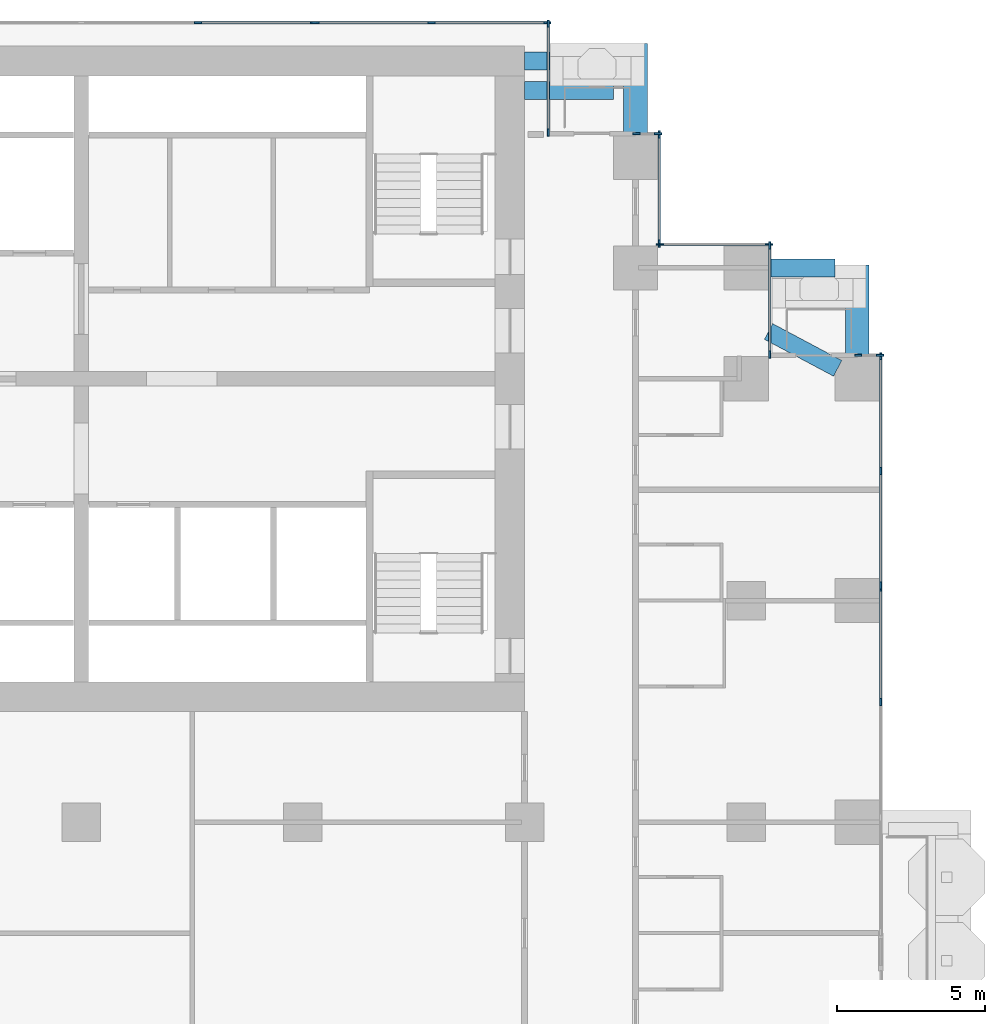
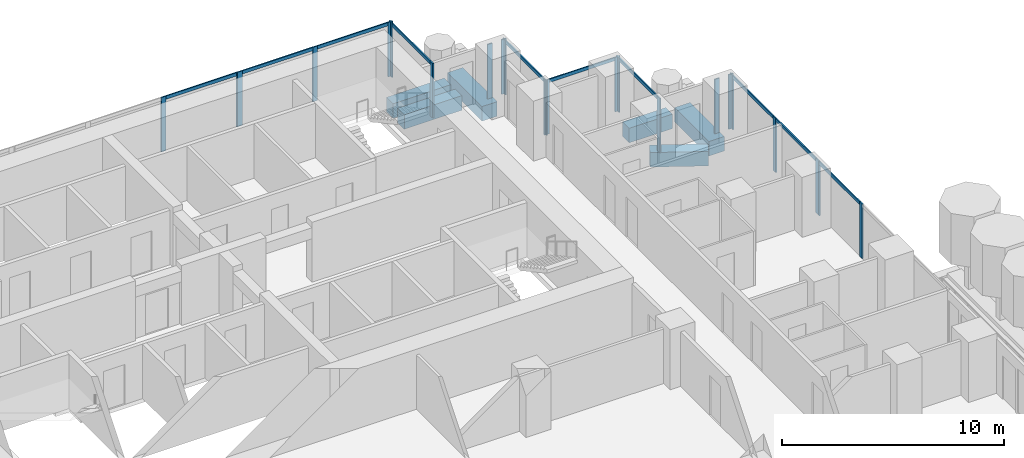
# One storey, part 6 of 19: 32 members, 6 beams, 10 elements without a shape of their own.
"""IFC4 building model written with IfcOpenShell, lengths in metres."""

import ifcopenshell
import ifcopenshell.guid

model = None  # the IFC model being written
_history = None  # IfcOwnerHistory: only IFC2X3 demands one
_inside = {}  # id of a spatial element -> (the spatial element, [elements in it])
_under = {}  # id of a project, library or spatial element -> (it, [spatial elements below it])
_declared = {}  # id of a project -> (the project, [libraries it declares])
_typed = {}  # id of a type object -> (the type object, [elements of that type])
_made_of = {}  # id of a material, layer set ... -> (it, [elements and type objects made of it])


def new_model(schema):
    """Start an empty IFC model of exactly this schema.

    Asked for "IFC4X3", IfcOpenShell would pick the latest addendum, in which some entities
    have other attributes; the version numbers below select the first issue.
    IFC2X3 requires an IfcOwnerHistory on every rooted entity: one is made here for all.
    """
    global model, _history
    if schema == "IFC4X3":
        model = ifcopenshell.file(schema_version=(4, 3, 0, 0))
    else:
        model = ifcopenshell.file(schema=schema)
    _inside.clear()
    _under.clear()
    _declared.clear()
    _typed.clear()
    _made_of.clear()
    _history = None
    if model.schema == "IFC2X3":
        org = make("IfcOrganization", Name="unknown")
        user = make(
            "IfcPersonAndOrganization",
            ThePerson=make("IfcPerson", FamilyName="unknown"),
            TheOrganization=org,
        )
        app = make(
            "IfcApplication",
            ApplicationDeveloper=org,
            Version="unknown",
            ApplicationFullName="unknown",
            ApplicationIdentifier="unknown",
        )
        _history = make(
            "IfcOwnerHistory",
            OwningUser=user,
            OwningApplication=app,
            ChangeAction="ADDED",
            CreationDate=0,
        )
    return model


def make(cls, **values):
    """One entity of the class cls with the attributes given. An attribute that is None is left unset."""
    return model.create_entity(
        cls, **{name: value for name, value in values.items() if value is not None}
    )


def rooted(cls, **values):
    """An entity with a GlobalId (a new one), such as an element, a storey or a relation."""
    return make(cls, GlobalId=ifcopenshell.guid.new(), OwnerHistory=_history, **values)


def si_unit(unit_type, name, prefix=None):
    """IfcSIUnit, for example si_unit("LENGTHUNIT", "METRE", prefix="MILLI")."""
    return make("IfcSIUnit", UnitType=unit_type, Prefix=prefix, Name=name)


def assignment(units):
    """IfcUnitAssignment: the units of a project."""
    return None if units is None else make("IfcUnitAssignment", Units=units)


def point(xyz):
    """IfcCartesianPoint."""
    return None if xyz is None else make("IfcCartesianPoint", Coordinates=xyz)


def direction(xyz):
    """IfcDirection."""
    return None if xyz is None else make("IfcDirection", DirectionRatios=xyz)


def frame(location, z_axis=None, x_axis=None):
    """IfcAxis2Placement3D, a coordinate frame: its origin and axes. An axis left out is left unset."""
    return make(
        "IfcAxis2Placement3D",
        Location=point(location),
        Axis=direction(z_axis),
        RefDirection=direction(x_axis),
    )


def frame_2d(location, x_axis=None):
    """IfcAxis2Placement2D, a coordinate frame in the plane: its origin and x axis."""
    return make(
        "IfcAxis2Placement2D", Location=point(location), RefDirection=direction(x_axis)
    )


def origin():
    """The frame at (0, 0, 0) with its axes left unset."""
    return frame((0.0, 0.0, 0.0))


def origin_2d():
    """The frame at (0, 0) in the plane with its x axis left unset."""
    return frame_2d((0.0, 0.0))


def place(relative_to, where):
    """IfcLocalPlacement: puts the frame where relative to a parent placement (None: the world)."""
    return make(
        "IfcLocalPlacement", PlacementRelTo=relative_to, RelativePlacement=where
    )


def context(
    kind, dimensions, precision=None, world=None, true_north=None, identifier=None
):
    """IfcGeometricRepresentationContext, for example the 3D "Model" context."""
    return make(
        "IfcGeometricRepresentationContext",
        ContextIdentifier=identifier,
        ContextType=kind,
        CoordinateSpaceDimension=dimensions,
        Precision=precision,
        WorldCoordinateSystem=world,
        TrueNorth=true_north,
    )


def subcontext(parent, identifier, kind, view, scale=None):
    """IfcGeometricRepresentationSubContext, for example "Body" below "Model"."""
    return make(
        "IfcGeometricRepresentationSubContext",
        ContextIdentifier=identifier,
        ContextType=kind,
        ParentContext=parent,
        TargetScale=scale,
        TargetView=view,
    )


def project(units=None, contexts=None):
    """IfcProject with its units and contexts."""
    return rooted(
        "IfcProject",
        Name="project",
        RepresentationContexts=contexts,
        UnitsInContext=assignment(units),
    )


def spatial(cls, under=None, at=None, **own):
    """A site, building, storey or space (cls), placed at a placement, below another one or the project."""
    s = rooted(cls, ObjectPlacement=at, **own)
    if under is not None:
        _under.setdefault(under.id(), (under, []))[1].append(s)
    return s


def profile(cls, at=None, kind="AREA", **sizes):
    """A parametric profile (cls). Its sizes go by their IFC names, for example OverallWidth=200.0."""
    return make(cls, ProfileType=kind, Position=at, **sizes)


def rectangle(**sizes):
    """IfcRectangleProfileDef."""
    return profile("IfcRectangleProfileDef", **sizes)


def extrude(swept, where, along, depth):
    """IfcExtrudedAreaSolid: the profile swept, set in the frame where, extruded along a direction by depth."""
    return make(
        "IfcExtrudedAreaSolid",
        SweptArea=swept,
        Position=where,
        ExtrudedDirection=direction(along),
        Depth=depth,
    )


def shape(context_of_items, identifier, shape_type, items):
    """IfcShapeRepresentation: the items that make up one representation, for example the "Body"."""
    return make(
        "IfcShapeRepresentation",
        ContextOfItems=context_of_items,
        RepresentationIdentifier=identifier,
        RepresentationType=shape_type,
        Items=items,
    )


def material(Name=None, Category=None):
    """IfcMaterial."""
    return make("IfcMaterial", Name=Name, Category=Category)


def material_profile(
    of_material, cross_section, Name=None, Category=None, Priority=None
):
    """IfcMaterialProfile: a cross section and its material."""
    return make(
        "IfcMaterialProfile",
        Name=Name,
        Material=of_material,
        Profile=cross_section,
        Priority=Priority,
        Category=Category,
    )


def profile_set(profiles, Name=None, composite=None):
    """IfcMaterialProfileSet."""
    return make(
        "IfcMaterialProfileSet",
        Name=Name,
        MaterialProfiles=profiles,
        CompositeProfile=composite,
    )


def made_of(thing, what):
    """Note that an element or type object is made of a material, layer set ...; save() writes the relation."""
    if what is not None:
        _made_of.setdefault(what.id(), (what, []))[1].append(thing)
    return thing


def type_object(cls, material=None, **own):
    """A type object (cls), such as IfcWallType, which elements share."""
    return made_of(rooted(cls, **own), material)


def element(
    cls,
    number,
    at=None,
    inside=None,
    cuts=None,
    type_object=None,
    material=None,
    context=None,
    identifier="Body",
    shape_type=None,
    held_by="IfcProductDefinitionShape",
    body=None,
    shapes=None,
    **own,
):
    """One element of the class cls, such as IfcWall. Its Tag is "e" and its number.

    at: its placement. inside: the storey or other place that contains it. cuts: it is an
    opening in that element (IfcRelVoidsElement). A single representation is given by context,
    identifier, shape_type and body (its items); several are given by shapes. held_by: the class
    of the entity that holds the representations. save() writes the other relations.
    """
    e = rooted(cls, Tag="e%d" % number, ObjectPlacement=at, **own)
    if body is not None:
        shapes = [shape(context, identifier, shape_type, body)]
    if shapes is not None:
        e.Representation = make(held_by, Representations=shapes)
    if inside is not None:
        _inside.setdefault(inside.id(), (inside, []))[1].append(e)
    if cuts is not None:
        rooted(
            "IfcRelVoidsElement", RelatingBuildingElement=cuts, RelatedOpeningElement=e
        )
    if type_object is not None:
        _typed.setdefault(type_object.id(), (type_object, []))[1].append(e)
    return made_of(e, material)


def aggregate(whole, parts):
    """IfcRelAggregates: a whole, such as a stair, and the parts it consists of."""
    return rooted("IfcRelAggregates", RelatingObject=whole, RelatedObjects=parts)


def save(model, path):
    """Write the relations noted so far, then the file.

    IfcRelAggregates (storeys below a building ...), IfcRelContainedInSpatialStructure (elements
    in a storey), IfcRelDefinesByType, IfcRelAssociatesMaterial and IfcRelDeclares: one each for
    every whole, place, type object, material and project.
    """
    for whole, parts in _under.values():
        aggregate(whole, parts)
    for where, things in _inside.values():
        rooted(
            "IfcRelContainedInSpatialStructure",
            RelatedElements=things,
            RelatingStructure=where,
        )
    for kind, things in _typed.values():
        rooted("IfcRelDefinesByType", RelatedObjects=things, RelatingType=kind)
    for what, things in _made_of.values():
        rooted("IfcRelAssociatesMaterial", RelatedObjects=things, RelatingMaterial=what)
    for by, libraries in _declared.values():
        rooted("IfcRelDeclares", RelatingContext=by, RelatedDefinitions=libraries)
    model.write(path)


model = new_model("IFC4")

# Units and contexts
model_context = context("Model", 3, precision=1e-05, world=origin(), true_north=direction((0.0, 1.0)))
body_context = subcontext(model_context, "Body", "Model", "MODEL_VIEW")
ifc_project = project(units=[si_unit("LENGTHUNIT", "METRE"), si_unit("AREAUNIT", "SQUARE_METRE"), si_unit("VOLUMEUNIT", "CUBIC_METRE"), si_unit("PLANEANGLEUNIT", "RADIAN"), si_unit("MASSUNIT", "GRAM", prefix="KILO")], contexts=[model_context])

# Site, building, storey
site_placement = place(None, origin())
site = spatial("IfcSite", under=ifc_project, at=site_placement, CompositionType="ELEMENT")
building_placement = place(site_placement, origin())
building = spatial("IfcBuilding", under=site, at=building_placement, Name="Pilkhan Gate Tower", CompositionType="ELEMENT")
storey_placement = place(building_placement, frame((0.0, 0.0, 62.60009765625)))
storey = spatial("IfcBuildingStorey", under=building, at=storey_placement, Name="L13", CompositionType="ELEMENT", Elevation=62.60009765625)

# Beams
ifc_material_1 = material(Name="Concrete C50/60", Category="concrete")
ifc_material_profile_1 = material_profile(ifc_material_1, rectangle(XDim=0.60009765625, YDim=0.800048828125, at=origin_2d()), Name="RC 600x800")
ifc_profile_set_1 = profile_set([ifc_material_profile_1], Name="Concrete C50/60")
beam_type_1 = type_object("IfcBeamType", Name="Cantilever beam CB1 RC 600x800 C50/60", PredefinedType="BEAM", material=ifc_profile_set_1)
for number, where, z_axis, x_axis, name in (
    (1, (90.0, 93.25, -0.7001953125), (1.0, 0.0, 0.0), (0.0, 1.0, 0.0), "Balcony beam NE.2 L13"),
    (2, (90.0, 92.25, -0.7001953125), (1.0, 0.0, 0.0), (0.0, 1.0, 0.0), "Balcony beam NE.3 L13"),
):
    element("IfcBeam", number, at=place(storey_placement, frame(where, z_axis=z_axis, x_axis=x_axis)), inside=storey, type_object=beam_type_1, Name=name, PredefinedType="BEAM", context=body_context, shape_type="SweptSolid", body=[
        extrude(rectangle(XDim=0.60009765625, YDim=0.800048828125, at=origin_2d()), origin(), (0.0, 0.0, 1.0), 3.0),
    ])
beam_1_placement = place(storey_placement, frame((98.25, 86.25, -0.7001953125), z_axis=(1.0, 0.0, 0.0), x_axis=(0.0, 1.0, 0.0)))
element("IfcBeam", 3, at=beam_1_placement, inside=storey, type_object=beam_type_1, Name="Balcony beam NE2.2 L13", PredefinedType="BEAM", context=body_context, shape_type="SweptSolid", body=[
    extrude(rectangle(XDim=0.60009765625, YDim=0.800048828125, at=origin_2d()), origin(), (0.0, 0.0, 1.0), 2.25),
])
beam_2_placement = place(storey_placement, frame((100.588134765625, 82.85302734375, -0.7001953125), z_axis=(-0.882342739565, 0.470607362817, 0.0), x_axis=(-0.470607362817, -0.882342739565, 0.0)))
element("IfcBeam", 4, at=beam_2_placement, inside=storey, type_object=beam_type_1, Name="Balcony beam NE2.3 L13", PredefinedType="BEAM", context=body_context, shape_type="SweptSolid", body=[
    extrude(rectangle(XDim=0.60009765625, YDim=0.800048828125, at=origin_2d()), origin(), (0.0, 0.0, 1.0), 2.64990234375),
])
ifc_material_profile_2 = material_profile(ifc_material_1, rectangle(XDim=0.800048828125, YDim=0.800048828125, at=origin_2d()), Name="RC 800x800")
ifc_profile_set_2 = profile_set([ifc_material_profile_2], Name="Concrete C50/60")
beam_type_2 = type_object("IfcBeamType", Name="Cantilever beam CB2 RC 800x800 C50/60", PredefinedType="BEAM", material=ifc_profile_set_2)
for number, where, z_axis, x_axis, name in (
    (5, (93.75, 90.75, -0.7001953125), (0.0, 1.0, 0.0), (-1.0, 0.0, 0.0), "Balcony beam NE.1 L13"),
    (6, (101.25, 83.25, -0.7001953125), (0.0, 1.0, 0.0), (-1.0, 0.0, 0.0), "Balcony beam NE2.1 L13"),
):
    element("IfcBeam", number, at=place(storey_placement, frame(where, z_axis=z_axis, x_axis=x_axis)), inside=storey, type_object=beam_type_2, Name=name, PredefinedType="BEAM", context=body_context, shape_type="SweptSolid", body=[
        extrude(rectangle(XDim=0.800048828125, YDim=0.800048828125, at=origin_2d()), origin(), (0.0, 0.0, 1.0), 3.10009765625),
    ])

# Curtain wall, members
ifc_material_2 = material(Name="Pale anodised aluminium, clear low-iron double glazing", Category="aluminium")
curtain_wall_type = type_object("IfcCurtainWallType", Name="Hotel unitised curtain wall CW-H", PredefinedType="USERDEFINED", material=ifc_material_2)
curtain_wall_1_placement = place(storey_placement, origin())
curtain_wall_1 = element("IfcCurtainWall", 7, at=curtain_wall_1_placement, inside=storey, type_object=curtain_wall_type, Name="Hotel unitised curtain wall CW-H L13 E", ObjectType="UNITISED CURTAIN WALL", PredefinedType="USERDEFINED")
ifc_material_3 = material(Name="Pale anodised aluminium", Category="aluminium")
ifc_material_profile_3 = material_profile(ifc_material_3, rectangle(XDim=0.06494140625, YDim=0.25, at=origin_2d()), Name="Mullion 250x65")
ifc_profile_set_3 = profile_set([ifc_material_profile_3], Name="Pale anodised aluminium")
member_type_1 = type_object("IfcMemberType", Name="Mullion CW-H 250x65", PredefinedType="MULLION", material=ifc_profile_set_3)
member_1_placement = place(storey_placement, frame((102.044921875, 71.568115234375, 0.0), z_axis=(0.0, 0.0, 1.0), x_axis=(-1.0, 0.0, 0.0)))
member_1 = element("IfcMember", 8, at=member_1_placement, type_object=member_type_1, Name="CW-H mullion 3", PredefinedType="MULLION", context=body_context, shape_type="SweptSolid", body=[
    extrude(rectangle(XDim=0.06494140625, YDim=0.25, at=origin_2d()), origin(), (0.0, 0.0, 1.0), 3.0),
])
member_2_placement = place(storey_placement, frame((102.044921875, 75.444580078125, 0.0), z_axis=(0.0, 0.0, 1.0), x_axis=(-1.0, 0.0, 0.0)))
member_2 = element("IfcMember", 9, at=member_2_placement, type_object=member_type_1, Name="CW-H mullion 4", PredefinedType="MULLION", context=body_context, shape_type="SweptSolid", body=[
    extrude(rectangle(XDim=0.06494140625, YDim=0.25, at=origin_2d()), origin(), (0.0, 0.0, 1.0), 3.0),
])

curtain_wall_2_placement = place(storey_placement, origin())
curtain_wall_2 = element("IfcCurtainWall", 10, at=curtain_wall_2_placement, inside=storey, type_object=curtain_wall_type, Name="Hotel unitised curtain wall CW-H L13 E", ObjectType="UNITISED CURTAIN WALL", PredefinedType="USERDEFINED")
member_3_placement = place(storey_placement, frame((102.044921875, 75.509521484375, 0.0), z_axis=(0.0, 0.0, 1.0), x_axis=(-1.0, 0.0, 0.0)))
member_3 = element("IfcMember", 11, at=member_3_placement, type_object=member_type_1, Name="CW-H mullion 1", PredefinedType="MULLION", context=body_context, shape_type="SweptSolid", body=[
    extrude(rectangle(XDim=0.06494140625, YDim=0.25, at=origin_2d()), origin(), (0.0, 0.0, 1.0), 3.0),
])
member_4_placement = place(storey_placement, frame((102.044921875, 79.385986328125, 0.0), z_axis=(0.0, 0.0, 1.0), x_axis=(-1.0, 0.0, 0.0)))
member_4 = element("IfcMember", 12, at=member_4_placement, type_object=member_type_1, Name="CW-H mullion 2", PredefinedType="MULLION", context=body_context, shape_type="SweptSolid", body=[
    extrude(rectangle(XDim=0.06494140625, YDim=0.25, at=origin_2d()), origin(), (0.0, 0.0, 1.0), 3.0),
])
member_5_placement = place(storey_placement, frame((102.044921875, 83.262451171875, 0.0), z_axis=(0.0, 0.0, 1.0), x_axis=(-1.0, 0.0, 0.0)))
member_5 = element("IfcMember", 13, at=member_5_placement, type_object=member_type_1, Name="CW-H mullion 3", PredefinedType="MULLION", context=body_context, shape_type="SweptSolid", body=[
    extrude(rectangle(XDim=0.06494140625, YDim=0.25, at=origin_2d()), origin(), (0.0, 0.0, 1.0), 3.0),
])

curtain_wall_3_placement = place(storey_placement, origin())
curtain_wall_3 = element("IfcCurtainWall", 14, at=curtain_wall_3_placement, inside=storey, type_object=curtain_wall_type, Name="Hotel unitised curtain wall CW-H L13 N", ObjectType="UNITISED CURTAIN WALL", PredefinedType="USERDEFINED")
member_6_placement = place(storey_placement, frame((101.282470703125, 83.294921875, 0.0), z_axis=(0.0, 0.0, 1.0), x_axis=(0.0, 1.0, 0.0)))
member_6 = element("IfcMember", 15, at=member_6_placement, type_object=member_type_1, Name="CW-H mullion 1", PredefinedType="MULLION", context=body_context, shape_type="SweptSolid", body=[
    extrude(rectangle(XDim=0.06494140625, YDim=0.25, at=origin_2d()), origin(), (0.0, 0.0, 1.0), 3.0),
])
member_7_placement = place(storey_placement, frame((102.012451171875, 83.294921875, 0.0), z_axis=(0.0, 0.0, 1.0), x_axis=(0.0, 1.0, 0.0)))
member_7 = element("IfcMember", 16, at=member_7_placement, type_object=member_type_1, Name="CW-H mullion 2", PredefinedType="MULLION", context=body_context, shape_type="SweptSolid", body=[
    extrude(rectangle(XDim=0.06494140625, YDim=0.25, at=origin_2d()), origin(), (0.0, 0.0, 1.0), 3.0),
])
aggregate(curtain_wall_3, [member_6, member_7])

curtain_wall_4_placement = place(storey_placement, origin())
curtain_wall_4 = element("IfcCurtainWall", 17, at=curtain_wall_4_placement, inside=storey, type_object=curtain_wall_type, Name="Hotel unitised curtain wall CW-H L13 E", ObjectType="UNITISED CURTAIN WALL", PredefinedType="USERDEFINED")
member_8_placement = place(storey_placement, frame((98.294921875, 83.327392578125, 0.0), z_axis=(0.0, 0.0, 1.0), x_axis=(-1.0, 0.0, 0.0)))
member_8 = element("IfcMember", 18, at=member_8_placement, type_object=member_type_1, Name="CW-H mullion 1", PredefinedType="MULLION", context=body_context, shape_type="SweptSolid", body=[
    extrude(rectangle(XDim=0.06494140625, YDim=0.25, at=origin_2d()), origin(), (0.0, 0.0, 1.0), 3.0),
])
member_9_placement = place(storey_placement, frame((98.294921875, 87.012451171875, 0.0), z_axis=(0.0, 0.0, 1.0), x_axis=(-1.0, 0.0, 0.0)))
member_9 = element("IfcMember", 19, at=member_9_placement, type_object=member_type_1, Name="CW-H mullion 2", PredefinedType="MULLION", context=body_context, shape_type="SweptSolid", body=[
    extrude(rectangle(XDim=0.06494140625, YDim=0.25, at=origin_2d()), origin(), (0.0, 0.0, 1.0), 3.0),
])

curtain_wall_5_placement = place(storey_placement, origin())
curtain_wall_5 = element("IfcCurtainWall", 20, at=curtain_wall_5_placement, inside=storey, type_object=curtain_wall_type, Name="Hotel unitised curtain wall CW-H L13 N", ObjectType="UNITISED CURTAIN WALL", PredefinedType="USERDEFINED")
member_10_placement = place(storey_placement, frame((94.577392578125, 87.044921875, 0.0), z_axis=(0.0, 0.0, 1.0), x_axis=(0.0, 1.0, 0.0)))
member_10 = element("IfcMember", 21, at=member_10_placement, type_object=member_type_1, Name="CW-H mullion 1", PredefinedType="MULLION", context=body_context, shape_type="SweptSolid", body=[
    extrude(rectangle(XDim=0.06494140625, YDim=0.25, at=origin_2d()), origin(), (0.0, 0.0, 1.0), 3.0),
])
member_11_placement = place(storey_placement, frame((98.262451171875, 87.044921875, 0.0), z_axis=(0.0, 0.0, 1.0), x_axis=(0.0, 1.0, 0.0)))
member_11 = element("IfcMember", 22, at=member_11_placement, type_object=member_type_1, Name="CW-H mullion 2", PredefinedType="MULLION", context=body_context, shape_type="SweptSolid", body=[
    extrude(rectangle(XDim=0.06494140625, YDim=0.25, at=origin_2d()), origin(), (0.0, 0.0, 1.0), 3.0),
])

curtain_wall_6_placement = place(storey_placement, origin())
curtain_wall_6 = element("IfcCurtainWall", 23, at=curtain_wall_6_placement, inside=storey, type_object=curtain_wall_type, Name="Hotel unitised curtain wall CW-H L13 E", ObjectType="UNITISED CURTAIN WALL", PredefinedType="USERDEFINED")
member_12_placement = place(storey_placement, frame((94.544921875, 87.077392578125, 0.0), z_axis=(0.0, 0.0, 1.0), x_axis=(-1.0, 0.0, 0.0)))
member_12 = element("IfcMember", 24, at=member_12_placement, type_object=member_type_1, Name="CW-H mullion 1", PredefinedType="MULLION", context=body_context, shape_type="SweptSolid", body=[
    extrude(rectangle(XDim=0.06494140625, YDim=0.25, at=origin_2d()), origin(), (0.0, 0.0, 1.0), 3.0),
])
member_13_placement = place(storey_placement, frame((94.544921875, 90.762451171875, 0.0), z_axis=(0.0, 0.0, 1.0), x_axis=(-1.0, 0.0, 0.0)))
member_13 = element("IfcMember", 25, at=member_13_placement, type_object=member_type_1, Name="CW-H mullion 2", PredefinedType="MULLION", context=body_context, shape_type="SweptSolid", body=[
    extrude(rectangle(XDim=0.06494140625, YDim=0.25, at=origin_2d()), origin(), (0.0, 0.0, 1.0), 3.0),
])

curtain_wall_7_placement = place(storey_placement, origin())
curtain_wall_7 = element("IfcCurtainWall", 26, at=curtain_wall_7_placement, inside=storey, type_object=curtain_wall_type, Name="Hotel unitised curtain wall CW-H L13 N", ObjectType="UNITISED CURTAIN WALL", PredefinedType="USERDEFINED")
member_14_placement = place(storey_placement, frame((93.782470703125, 90.794921875, 0.0), z_axis=(0.0, 0.0, 1.0), x_axis=(0.0, 1.0, 0.0)))
member_14 = element("IfcMember", 27, at=member_14_placement, type_object=member_type_1, Name="CW-H mullion 1", PredefinedType="MULLION", context=body_context, shape_type="SweptSolid", body=[
    extrude(rectangle(XDim=0.06494140625, YDim=0.25, at=origin_2d()), origin(), (0.0, 0.0, 1.0), 3.0),
])
member_15_placement = place(storey_placement, frame((94.512451171875, 90.794921875, 0.0), z_axis=(0.0, 0.0, 1.0), x_axis=(0.0, 1.0, 0.0)))
member_15 = element("IfcMember", 28, at=member_15_placement, type_object=member_type_1, Name="CW-H mullion 2", PredefinedType="MULLION", context=body_context, shape_type="SweptSolid", body=[
    extrude(rectangle(XDim=0.06494140625, YDim=0.25, at=origin_2d()), origin(), (0.0, 0.0, 1.0), 3.0),
])
aggregate(curtain_wall_7, [member_14, member_15])

curtain_wall_8_placement = place(storey_placement, origin())
curtain_wall_8 = element("IfcCurtainWall", 29, at=curtain_wall_8_placement, inside=storey, type_object=curtain_wall_type, Name="Hotel unitised curtain wall CW-H L13 E", ObjectType="UNITISED CURTAIN WALL", PredefinedType="USERDEFINED")
member_16_placement = place(storey_placement, frame((90.794921875, 90.827392578125, 0.0), z_axis=(0.0, 0.0, 1.0), x_axis=(-1.0, 0.0, 0.0)))
member_16 = element("IfcMember", 30, at=member_16_placement, type_object=member_type_1, Name="CW-H mullion 1", PredefinedType="MULLION", context=body_context, shape_type="SweptSolid", body=[
    extrude(rectangle(XDim=0.06494140625, YDim=0.25, at=origin_2d()), origin(), (0.0, 0.0, 1.0), 3.0),
])
member_17_placement = place(storey_placement, frame((90.794921875, 94.512451171875, 0.0), z_axis=(0.0, 0.0, 1.0), x_axis=(-1.0, 0.0, 0.0)))
member_17 = element("IfcMember", 31, at=member_17_placement, type_object=member_type_1, Name="CW-H mullion 2", PredefinedType="MULLION", context=body_context, shape_type="SweptSolid", body=[
    extrude(rectangle(XDim=0.06494140625, YDim=0.25, at=origin_2d()), origin(), (0.0, 0.0, 1.0), 3.0),
])

curtain_wall_9_placement = place(storey_placement, origin())
curtain_wall_9 = element("IfcCurtainWall", 32, at=curtain_wall_9_placement, inside=storey, type_object=curtain_wall_type, Name="Hotel unitised curtain wall CW-H L13 N", ObjectType="UNITISED CURTAIN WALL", PredefinedType="USERDEFINED")
member_18_placement = place(storey_placement, frame((78.94873046875, 94.544921875, 0.0), z_axis=(0.0, 0.0, 1.0), x_axis=(0.0, 1.0, 0.0)))
member_18 = element("IfcMember", 33, at=member_18_placement, type_object=member_type_1, Name="CW-H mullion 3", PredefinedType="MULLION", context=body_context, shape_type="SweptSolid", body=[
    extrude(rectangle(XDim=0.06494140625, YDim=0.25, at=origin_2d()), origin(), (0.0, 0.0, 1.0), 3.0),
])
member_19_placement = place(storey_placement, frame((82.864990234375, 94.544921875, 0.0), z_axis=(0.0, 0.0, 1.0), x_axis=(0.0, 1.0, 0.0)))
member_19 = element("IfcMember", 34, at=member_19_placement, type_object=member_type_1, Name="CW-H mullion 4", PredefinedType="MULLION", context=body_context, shape_type="SweptSolid", body=[
    extrude(rectangle(XDim=0.06494140625, YDim=0.25, at=origin_2d()), origin(), (0.0, 0.0, 1.0), 3.0),
])

curtain_wall_10_placement = place(storey_placement, origin())
curtain_wall_10 = element("IfcCurtainWall", 35, at=curtain_wall_10_placement, inside=storey, type_object=curtain_wall_type, Name="Hotel unitised curtain wall CW-H L13 N", ObjectType="UNITISED CURTAIN WALL", PredefinedType="USERDEFINED")
member_20_placement = place(storey_placement, frame((82.929931640625, 94.544921875, 0.0), z_axis=(0.0, 0.0, 1.0), x_axis=(0.0, 1.0, 0.0)))
member_20 = element("IfcMember", 36, at=member_20_placement, type_object=member_type_1, Name="CW-H mullion 1", PredefinedType="MULLION", context=body_context, shape_type="SweptSolid", body=[
    extrude(rectangle(XDim=0.06494140625, YDim=0.25, at=origin_2d()), origin(), (0.0, 0.0, 1.0), 3.0),
])
member_21_placement = place(storey_placement, frame((86.84619140625, 94.544921875, 0.0), z_axis=(0.0, 0.0, 1.0), x_axis=(0.0, 1.0, 0.0)))
member_21 = element("IfcMember", 37, at=member_21_placement, type_object=member_type_1, Name="CW-H mullion 2", PredefinedType="MULLION", context=body_context, shape_type="SweptSolid", body=[
    extrude(rectangle(XDim=0.06494140625, YDim=0.25, at=origin_2d()), origin(), (0.0, 0.0, 1.0), 3.0),
])
member_22_placement = place(storey_placement, frame((90.762451171875, 94.544921875, 0.0), z_axis=(0.0, 0.0, 1.0), x_axis=(0.0, 1.0, 0.0)))
member_22 = element("IfcMember", 38, at=member_22_placement, type_object=member_type_1, Name="CW-H mullion 3", PredefinedType="MULLION", context=body_context, shape_type="SweptSolid", body=[
    extrude(rectangle(XDim=0.06494140625, YDim=0.25, at=origin_2d()), origin(), (0.0, 0.0, 1.0), 3.0),
])

# Member
ifc_material_profile_4 = material_profile(ifc_material_3, rectangle(XDim=0.06494140625, YDim=0.179931640625, at=origin_2d()), Name="Transom 180x65")
ifc_profile_set_4 = profile_set([ifc_material_profile_4], Name="Pale anodised aluminium")
member_type_2 = type_object("IfcMemberType", Name="Transom CW-H 180x65", PredefinedType="USERDEFINED", material=ifc_profile_set_4)
member_23_placement = place(storey_placement, frame((102.044921875, 71.6005859375, 2.909912109375), z_axis=(0.0, 1.0, 0.0), x_axis=(-1.0, 0.0, 0.0)))
member_23 = element("IfcMember", 39, at=member_23_placement, type_object=member_type_2, Name="CW-H transom 3", ObjectType="TRANSOM", PredefinedType="USERDEFINED", context=body_context, shape_type="SweptSolid", body=[
    extrude(rectangle(XDim=0.06494140625, YDim=0.179931640625, at=origin_2d()), origin(), (0.0, 0.0, 1.0), 3.8115234375),
])

aggregate(curtain_wall_1, [member_1, member_2, member_23])

member_24_placement = place(storey_placement, frame((102.044921875, 75.5419921875, 2.909912109375), z_axis=(0.0, 1.0, 0.0), x_axis=(-1.0, 0.0, 0.0)))
member_24 = element("IfcMember", 40, at=member_24_placement, type_object=member_type_2, Name="CW-H transom 1", ObjectType="TRANSOM", PredefinedType="USERDEFINED", context=body_context, shape_type="SweptSolid", body=[
    extrude(rectangle(XDim=0.06494140625, YDim=0.179931640625, at=origin_2d()), origin(), (0.0, 0.0, 1.0), 3.8115234375),
])

member_25_placement = place(storey_placement, frame((102.044921875, 79.41845703125, 2.909912109375), z_axis=(0.0, 1.0, 0.0), x_axis=(-1.0, 0.0, 0.0)))
member_25 = element("IfcMember", 41, at=member_25_placement, type_object=member_type_2, Name="CW-H transom 2", ObjectType="TRANSOM", PredefinedType="USERDEFINED", context=body_context, shape_type="SweptSolid", body=[
    extrude(rectangle(XDim=0.06494140625, YDim=0.179931640625, at=origin_2d()), origin(), (0.0, 0.0, 1.0), 3.8115234375),
])

aggregate(curtain_wall_2, [member_3, member_4, member_5, member_24, member_25])

member_26_placement = place(storey_placement, frame((98.294921875, 83.360107421875, 2.909912109375), z_axis=(0.0, 1.0, 0.0), x_axis=(-1.0, 0.0, 0.0)))
member_26 = element("IfcMember", 42, at=member_26_placement, type_object=member_type_2, Name="CW-H transom 1", ObjectType="TRANSOM", PredefinedType="USERDEFINED", context=body_context, shape_type="SweptSolid", body=[
    extrude(rectangle(XDim=0.06494140625, YDim=0.179931640625, at=origin_2d()), origin(), (0.0, 0.0, 1.0), 3.619873046875),
])

aggregate(curtain_wall_4, [member_8, member_9, member_26])

member_27_placement = place(storey_placement, frame((94.610107421875, 87.044921875, 2.909912109375), z_axis=(1.0, 0.0, 0.0), x_axis=(0.0, 1.0, 0.0)))
member_27 = element("IfcMember", 43, at=member_27_placement, type_object=member_type_2, Name="CW-H transom 1", ObjectType="TRANSOM", PredefinedType="USERDEFINED", context=body_context, shape_type="SweptSolid", body=[
    extrude(rectangle(XDim=0.06494140625, YDim=0.179931640625, at=origin_2d()), origin(), (0.0, 0.0, 1.0), 3.619873046875),
])

aggregate(curtain_wall_5, [member_10, member_11, member_27])

member_28_placement = place(storey_placement, frame((94.544921875, 87.110107421875, 2.909912109375), z_axis=(0.0, 1.0, 0.0), x_axis=(-1.0, 0.0, 0.0)))
member_28 = element("IfcMember", 44, at=member_28_placement, type_object=member_type_2, Name="CW-H transom 1", ObjectType="TRANSOM", PredefinedType="USERDEFINED", context=body_context, shape_type="SweptSolid", body=[
    extrude(rectangle(XDim=0.06494140625, YDim=0.179931640625, at=origin_2d()), origin(), (0.0, 0.0, 1.0), 3.619873046875),
])

aggregate(curtain_wall_6, [member_12, member_13, member_28])

member_29_placement = place(storey_placement, frame((90.794921875, 90.860107421875, 2.909912109375), z_axis=(0.0, 1.0, 0.0), x_axis=(-1.0, 0.0, 0.0)))
member_29 = element("IfcMember", 45, at=member_29_placement, type_object=member_type_2, Name="CW-H transom 1", ObjectType="TRANSOM", PredefinedType="USERDEFINED", context=body_context, shape_type="SweptSolid", body=[
    extrude(rectangle(XDim=0.06494140625, YDim=0.179931640625, at=origin_2d()), origin(), (0.0, 0.0, 1.0), 3.619873046875),
])

aggregate(curtain_wall_8, [member_16, member_17, member_29])

member_30_placement = place(storey_placement, frame((78.981201171875, 94.544921875, 2.909912109375), z_axis=(1.0, 0.0, 0.0), x_axis=(0.0, 1.0, 0.0)))
member_30 = element("IfcMember", 46, at=member_30_placement, type_object=member_type_2, Name="CW-H transom 3", ObjectType="TRANSOM", PredefinedType="USERDEFINED", context=body_context, shape_type="SweptSolid", body=[
    extrude(rectangle(XDim=0.06494140625, YDim=0.179931640625, at=origin_2d()), origin(), (0.0, 0.0, 1.0), 3.851318359375),
])

aggregate(curtain_wall_9, [member_18, member_19, member_30])

member_31_placement = place(storey_placement, frame((82.96240234375, 94.544921875, 2.909912109375), z_axis=(1.0, 0.0, 0.0), x_axis=(0.0, 1.0, 0.0)))
member_31 = element("IfcMember", 47, at=member_31_placement, type_object=member_type_2, Name="CW-H transom 1", ObjectType="TRANSOM", PredefinedType="USERDEFINED", context=body_context, shape_type="SweptSolid", body=[
    extrude(rectangle(XDim=0.06494140625, YDim=0.179931640625, at=origin_2d()), origin(), (0.0, 0.0, 1.0), 3.851318359375),
])

member_32_placement = place(storey_placement, frame((86.878662109375, 94.544921875, 2.909912109375), z_axis=(1.0, 0.0, 0.0), x_axis=(0.0, 1.0, 0.0)))
member_32 = element("IfcMember", 48, at=member_32_placement, type_object=member_type_2, Name="CW-H transom 2", ObjectType="TRANSOM", PredefinedType="USERDEFINED", context=body_context, shape_type="SweptSolid", body=[
    extrude(rectangle(XDim=0.06494140625, YDim=0.179931640625, at=origin_2d()), origin(), (0.0, 0.0, 1.0), 3.851318359375),
])

aggregate(curtain_wall_10, [member_20, member_21, member_22, member_31, member_32])

save(model, "model.ifc")
